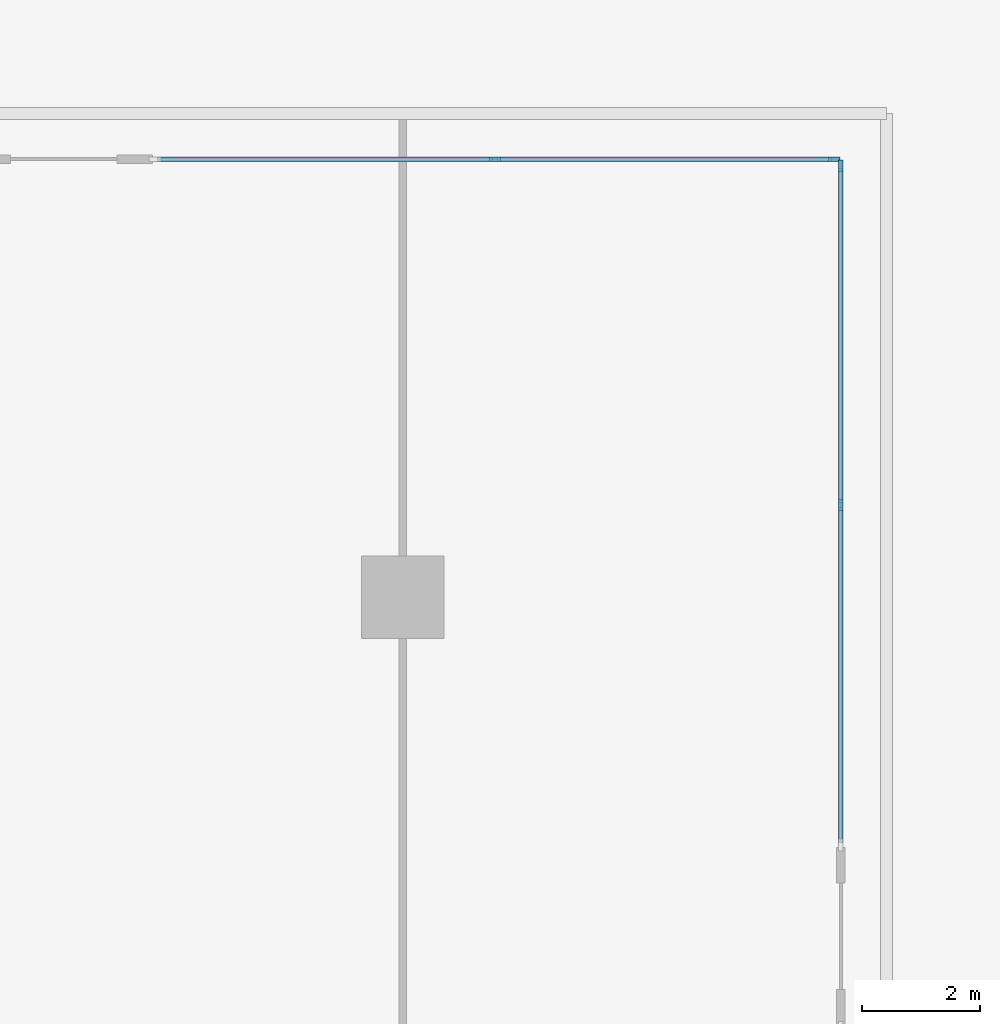
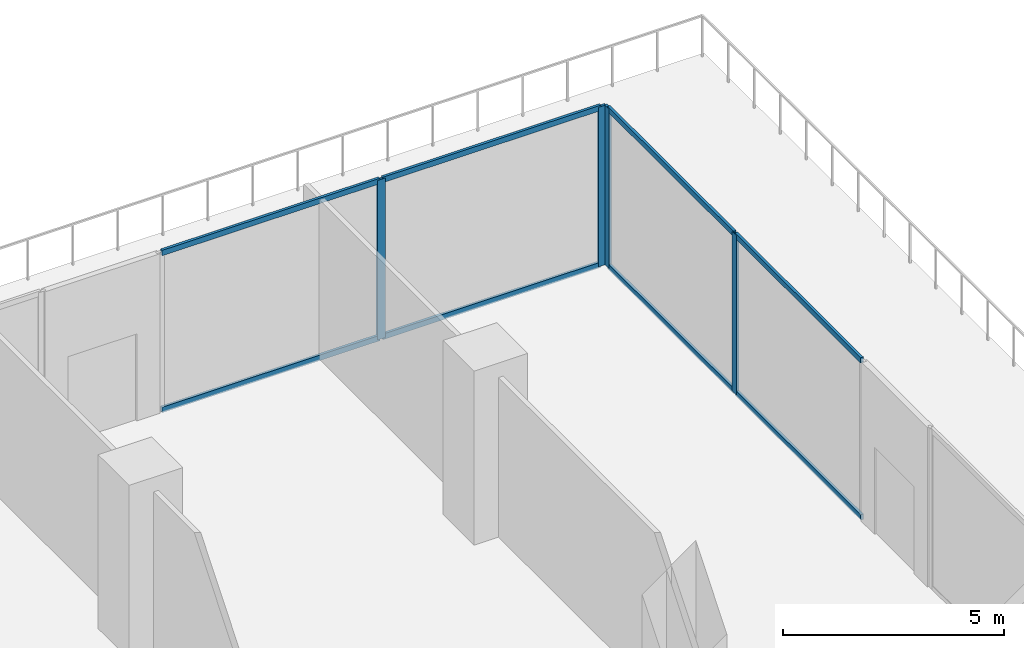
# One storey, part 11 of 31: 12 members, 2 elements without a shape of their own.
"""IFC4 building model written with IfcOpenShell, lengths in metres."""

from ifc_helpers import new_model, si_unit, direction, frame, origin, origin_2d, place, context, subcontext, project, spatial, rectangle, extrude, material, layer, layer_set, material_profile, profile_set, type_object, element, aggregate, save


model = new_model("IFC4")

# Units and contexts
model_context = context("Model", 3, precision=1e-05, world=origin(), true_north=direction((0.0, 1.0)))
body_context = subcontext(model_context, "Body", "Model", "MODEL_VIEW")
ifc_project = project(units=[si_unit("LENGTHUNIT", "METRE"), si_unit("AREAUNIT", "SQUARE_METRE"), si_unit("VOLUMEUNIT", "CUBIC_METRE"), si_unit("PLANEANGLEUNIT", "RADIAN"), si_unit("MASSUNIT", "GRAM", prefix="KILO")], contexts=[model_context])

# Site, building, storey
site_placement = place(None, origin())
site = spatial("IfcSite", under=ifc_project, at=site_placement, CompositionType="ELEMENT")
building_placement = place(site_placement, origin())
building = spatial("IfcBuilding", under=site, at=building_placement, Name="Chenar Terraces", CompositionType="ELEMENT")
storey_placement = place(building_placement, frame((0.0, 0.0, 12.0)))
storey = spatial("IfcBuildingStorey", under=building, at=storey_placement, Name="L02", CompositionType="ELEMENT", Elevation=12.0)

# Curtain wall, members
ifc_material_1 = material(Name="Aluminium framed glazing", Category="aluminium")
ifc_layer = layer(ifc_material_1, 0.14990234375)
ifc_layer_set = layer_set([ifc_layer], Name="Aluminium framed glazing")
curtain_wall_type = type_object("IfcCurtainWallType", Name="School curtain wall", PredefinedType="NOTDEFINED", material=ifc_layer_set)
placement = place(storey_placement, origin())
curtain_wall_1 = element("IfcCurtainWall", 1, at=placement, inside=storey, type_object=curtain_wall_type, Name="School curtain wall", PredefinedType="NOTDEFINED")
ifc_material_2 = material(Name="Aluminium", Category="aluminium")
ifc_material_profile_1 = material_profile(ifc_material_2, rectangle(XDim=0.070068359375, YDim=0.199951171875, at=origin_2d()), Name="School glazing mullion 70 x 200")
ifc_profile_set_1 = profile_set([ifc_material_profile_1], Name="Aluminium")
member_type_1 = type_object("IfcMemberType", Name="School glazing mullion 70 x 200", PredefinedType="MULLION", material=ifc_profile_set_1)
member_1_placement = place(storey_placement, frame((61.425048828125, 55.55615234375, 0.0), z_axis=(0.0, 0.0, 1.0), x_axis=(-1.0, 0.0, 0.0)))
member_1 = element("IfcMember", 2, at=member_1_placement, type_object=member_type_1, Name="CW2-12c1 mullion 2", PredefinedType="MULLION", context=body_context, shape_type="SweptSolid", body=[
    extrude(rectangle(XDim=0.070068359375, YDim=0.199951171875, at=origin_2d()), origin(), (0.0, 0.0, 1.0), 4.39990234375),
])
member_2_placement = place(storey_placement, frame((61.425048828125, 61.31494140625, 0.0), z_axis=(0.0, 0.0, 1.0), x_axis=(-1.0, 0.0, 0.0)))
member_2 = element("IfcMember", 3, at=member_2_placement, type_object=member_type_1, Name="CW2-12c1 mullion 3", PredefinedType="MULLION", context=body_context, shape_type="SweptSolid", body=[
    extrude(rectangle(XDim=0.070068359375, YDim=0.199951171875, at=origin_2d()), origin(), (0.0, 0.0, 1.0), 4.39990234375),
])

curtain_wall_2 = element("IfcCurtainWall", 4, at=placement, inside=storey, type_object=curtain_wall_type, Name="School curtain wall", PredefinedType="NOTDEFINED")
member_3_placement = place(storey_placement, frame((61.31494140625, 61.425048828125, 0.0), z_axis=(0.0, 0.0, 1.0), x_axis=(0.0, -1.0, 0.0)))
member_3 = element("IfcMember", 5, at=member_3_placement, type_object=member_type_1, Name="CW2-13c0 mullion 1", PredefinedType="MULLION", context=body_context, shape_type="SweptSolid", body=[
    extrude(rectangle(XDim=0.070068359375, YDim=0.199951171875, at=origin_2d()), origin(), (0.0, 0.0, 1.0), 4.39990234375),
])
member_4_placement = place(storey_placement, frame((55.55615234375, 61.425048828125, 0.0), z_axis=(0.0, 0.0, 1.0), x_axis=(0.0, -1.0, 0.0)))
member_4 = element("IfcMember", 6, at=member_4_placement, type_object=member_type_1, Name="CW2-13c0 mullion 2", PredefinedType="MULLION", context=body_context, shape_type="SweptSolid", body=[
    extrude(rectangle(XDim=0.070068359375, YDim=0.199951171875, at=origin_2d()), origin(), (0.0, 0.0, 1.0), 4.39990234375),
])

# Member
ifc_material_3 = material(Name="Aluminium", Category="aluminium")
ifc_material_profile_2 = material_profile(ifc_material_3, rectangle(XDim=0.070068359375, YDim=0.14990234375, at=origin_2d()), Name="School glazing transom 70 x 150")
ifc_profile_set_2 = profile_set([ifc_material_profile_2], Name="Aluminium")
member_type_2 = type_object("IfcMemberType", Name="School glazing transom 70 x 150", PredefinedType="USERDEFINED", material=ifc_profile_set_2)
member_5_placement = place(storey_placement, frame((61.425048828125, 49.83251953125, 0.034912109375), z_axis=(0.0, 1.0, 0.0), x_axis=(-1.0, 0.0, 0.0)))
member_5 = element("IfcMember", 7, at=member_5_placement, type_object=member_type_2, Name="CW2-12c1 transom 1.1", ObjectType="TRANSOM", PredefinedType="USERDEFINED", context=body_context, shape_type="SweptSolid", body=[
    extrude(rectangle(XDim=0.070068359375, YDim=0.14990234375, at=origin_2d()), origin(), (0.0, 0.0, 1.0), 5.688720703125),
])

member_6_placement = place(storey_placement, frame((61.425048828125, 49.83251953125, 4.364990234375), z_axis=(0.0, 1.0, 0.0), x_axis=(-1.0, 0.0, 0.0)))
member_6 = element("IfcMember", 8, at=member_6_placement, type_object=member_type_2, Name="CW2-12c1 transom 1.2", ObjectType="TRANSOM", PredefinedType="USERDEFINED", context=body_context, shape_type="SweptSolid", body=[
    extrude(rectangle(XDim=0.070068359375, YDim=0.14990234375, at=origin_2d()), origin(), (0.0, 0.0, 1.0), 5.688720703125),
])

member_7_placement = place(storey_placement, frame((61.425048828125, 55.59130859375, 0.034912109375), z_axis=(0.0, 1.0, 0.0), x_axis=(-1.0, 0.0, 0.0)))
member_7 = element("IfcMember", 9, at=member_7_placement, type_object=member_type_2, Name="CW2-12c1 transom 2.1", ObjectType="TRANSOM", PredefinedType="USERDEFINED", context=body_context, shape_type="SweptSolid", body=[
    extrude(rectangle(XDim=0.070068359375, YDim=0.14990234375, at=origin_2d()), origin(), (0.0, 0.0, 1.0), 5.688720703125),
])

member_8_placement = place(storey_placement, frame((61.425048828125, 55.59130859375, 4.364990234375), z_axis=(0.0, 1.0, 0.0), x_axis=(-1.0, 0.0, 0.0)))
member_8 = element("IfcMember", 10, at=member_8_placement, type_object=member_type_2, Name="CW2-12c1 transom 2.2", ObjectType="TRANSOM", PredefinedType="USERDEFINED", context=body_context, shape_type="SweptSolid", body=[
    extrude(rectangle(XDim=0.070068359375, YDim=0.14990234375, at=origin_2d()), origin(), (0.0, 0.0, 1.0), 5.688720703125),
])

aggregate(curtain_wall_1, [member_1, member_2, member_5, member_6, member_7, member_8])

member_9_placement = place(storey_placement, frame((61.280029296875, 61.425048828125, 0.034912109375), z_axis=(-1.0, 0.0, 0.0), x_axis=(0.0, -1.0, 0.0)))
member_9 = element("IfcMember", 11, at=member_9_placement, type_object=member_type_2, Name="CW2-13c0 transom 1.1", ObjectType="TRANSOM", PredefinedType="USERDEFINED", context=body_context, shape_type="SweptSolid", body=[
    extrude(rectangle(XDim=0.070068359375, YDim=0.14990234375, at=origin_2d()), origin(), (0.0, 0.0, 1.0), 5.688720703125),
])

member_10_placement = place(storey_placement, frame((61.280029296875, 61.425048828125, 4.364990234375), z_axis=(-1.0, 0.0, 0.0), x_axis=(0.0, -1.0, 0.0)))
member_10 = element("IfcMember", 12, at=member_10_placement, type_object=member_type_2, Name="CW2-13c0 transom 1.2", ObjectType="TRANSOM", PredefinedType="USERDEFINED", context=body_context, shape_type="SweptSolid", body=[
    extrude(rectangle(XDim=0.070068359375, YDim=0.14990234375, at=origin_2d()), origin(), (0.0, 0.0, 1.0), 5.688720703125),
])

member_11_placement = place(storey_placement, frame((55.521240234375, 61.425048828125, 0.034912109375), z_axis=(-1.0, 0.0, 0.0), x_axis=(0.0, -1.0, 0.0)))
member_11 = element("IfcMember", 13, at=member_11_placement, type_object=member_type_2, Name="CW2-13c0 transom 2.1", ObjectType="TRANSOM", PredefinedType="USERDEFINED", context=body_context, shape_type="SweptSolid", body=[
    extrude(rectangle(XDim=0.070068359375, YDim=0.14990234375, at=origin_2d()), origin(), (0.0, 0.0, 1.0), 5.688720703125),
])

member_12_placement = place(storey_placement, frame((55.521240234375, 61.425048828125, 4.364990234375), z_axis=(-1.0, 0.0, 0.0), x_axis=(0.0, -1.0, 0.0)))
member_12 = element("IfcMember", 14, at=member_12_placement, type_object=member_type_2, Name="CW2-13c0 transom 2.2", ObjectType="TRANSOM", PredefinedType="USERDEFINED", context=body_context, shape_type="SweptSolid", body=[
    extrude(rectangle(XDim=0.070068359375, YDim=0.14990234375, at=origin_2d()), origin(), (0.0, 0.0, 1.0), 5.688720703125),
])

aggregate(curtain_wall_2, [member_3, member_4, member_9, member_10, member_11, member_12])

save(model, "model.ifc")
